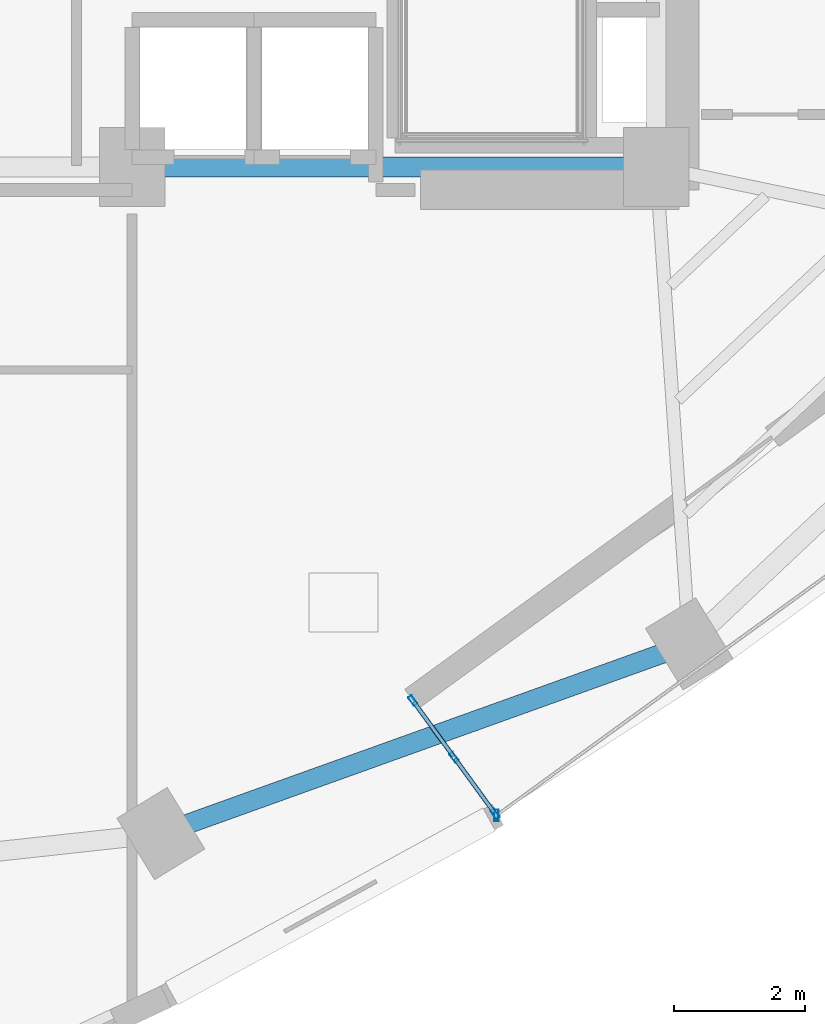
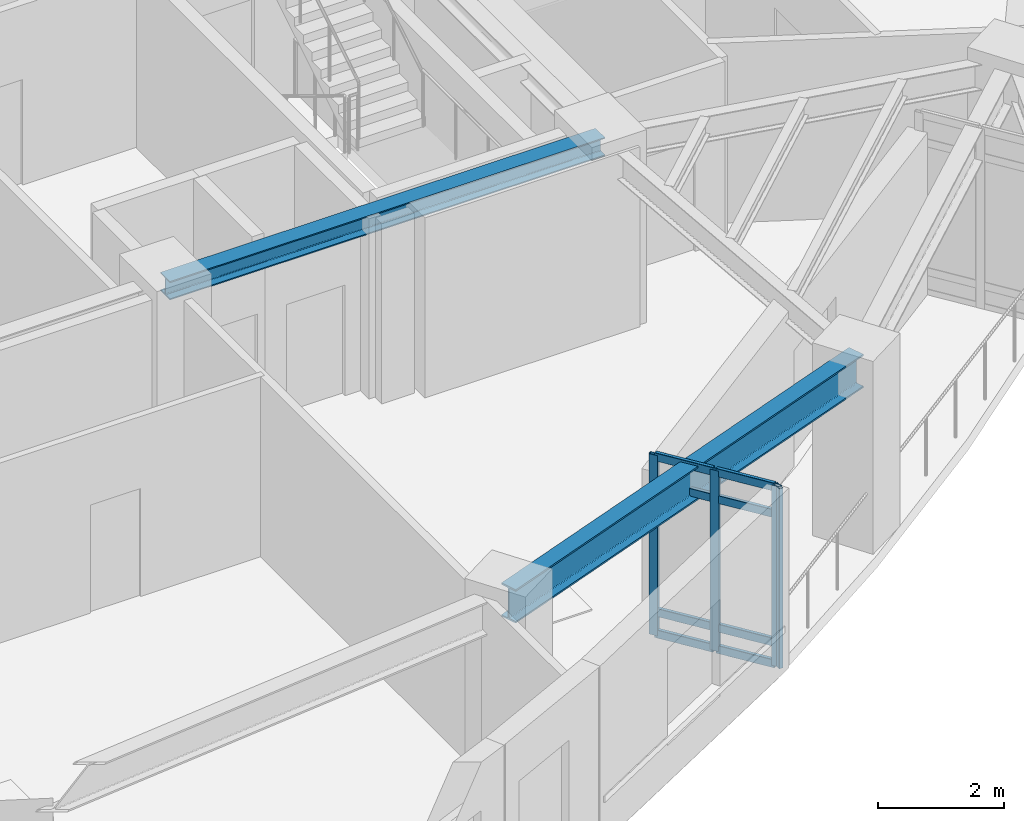
# One storey, part 2 of 11: 12 members, 2 beams, 1 element without a shape of its own.
"""IFC4 building model written with IfcOpenShell, lengths in metres."""

from ifc_helpers import new_model, si_unit, direction, frame, origin, origin_2d, place, context, subcontext, project, spatial, hollow_rectangle, i_section, extrude, material, layer, layer_set, material_profile, profile_set, type_object, element, aggregate, save


model = new_model("IFC4")

# Units and contexts
model_context = context("Model", 3, precision=1e-05, world=origin(), true_north=direction((0.0, 1.0)))
body_context = subcontext(model_context, "Body", "Model", "MODEL_VIEW")
ifc_project = project(units=[si_unit("LENGTHUNIT", "METRE"), si_unit("AREAUNIT", "SQUARE_METRE"), si_unit("VOLUMEUNIT", "CUBIC_METRE"), si_unit("PLANEANGLEUNIT", "RADIAN"), si_unit("MASSUNIT", "GRAM", prefix="KILO")], contexts=[model_context])

# Site, building, storey
site_placement = place(None, origin())
site = spatial("IfcSite", under=ifc_project, at=site_placement, CompositionType="ELEMENT")
building_placement = place(site_placement, origin())
building = spatial("IfcBuilding", under=site, at=building_placement, Name="Ndelora Gate Hotel", CompositionType="ELEMENT")
storey_placement = place(building_placement, frame((0.0, 0.0, 146.0)))
storey = spatial("IfcBuildingStorey", under=building, at=storey_placement, Name="L36", CompositionType="ELEMENT", Elevation=146.0)

# Beams
ifc_material_1 = material(Name="Steel S355", Category="steel")
ifc_material_profile_1 = material_profile(ifc_material_1, i_section(OverallWidth=0.300048828125, OverallDepth=0.360107421875, WebThickness=0.012451171875, FlangeThickness=0.0224609375, FilletRadius=0.027099609375, at=origin_2d()), Name="HEB 360")
ifc_profile_set_1 = profile_set([ifc_material_profile_1], Name="Steel S355")
beam_type_1 = type_object("IfcBeamType", Name="BM-CORE-360", PredefinedType="BEAM", material=ifc_profile_set_1)
beam_1_placement = place(storey_placement, frame((0.0, -6.60009765625, 3.320068359375), z_axis=(1.0, 0.0, 0.0), x_axis=(0.0, 1.0, 0.0)))
element("IfcBeam", 1, at=beam_1_placement, inside=storey, type_object=beam_type_1, Name="L36 Core Tie Girder CC2-CC3", PredefinedType="BEAM", context=body_context, shape_type="SweptSolid", body=[
    extrude(i_section(OverallWidth=0.300048828125, OverallDepth=0.360107421875, WebThickness=0.012451171875, FlangeThickness=0.0224609375, FilletRadius=0.027099609375, at=origin_2d()), origin(), (0.0, 0.0, 1.0), 8.0),
])
ifc_material_profile_2 = material_profile(ifc_material_1, i_section(OverallWidth=0.300048828125, OverallDepth=0.64990234375, WebThickness=0.01611328125, FlangeThickness=0.031005859375, FilletRadius=0.027099609375, at=origin_2d()), Name="HEB 650")
ifc_profile_set_2 = profile_set([ifc_material_profile_2], Name="Steel S355")
beam_type_2 = type_object("IfcBeamType", Name="BM-RING-650", PredefinedType="SPANDREL", material=ifc_profile_set_2)
beam_2_placement = place(storey_placement, frame((0.439208984375, -16.7744140625, 3.175048828125), z_axis=(0.941155870835, 0.337972819607, 0.0), x_axis=(-0.337972819607, 0.941155870835, 0.0)))
element("IfcBeam", 2, at=beam_2_placement, inside=storey, type_object=beam_type_2, Name="L36 Perimeter Spandrel Girder 6", PredefinedType="SPANDREL", context=body_context, shape_type="SweptSolid", body=[
    extrude(i_section(OverallWidth=0.300048828125, OverallDepth=0.64990234375, WebThickness=0.01611328125, FlangeThickness=0.031005859375, FilletRadius=0.027099609375, at=origin_2d()), origin(), (0.0, 0.0, 1.0), 8.5693359375),
])

# Curtain wall, members
ifc_material_2 = material(Name="Bronze Anodised Unitised Aluminium and Low-E Glass", Category="aluminium")
ifc_layer = layer(ifc_material_2, 0.199951171875)
ifc_layer_set = layer_set([ifc_layer], Name="Bronze Anodised Unitised Aluminium and Low-E Glass")
curtain_wall_type = type_object("IfcCurtainWallType", Name="CW-SYS-3", PredefinedType="NOTDEFINED", material=ifc_layer_set)
curtain_wall_placement = place(storey_placement, origin())
curtain_wall = element("IfcCurtainWall", 3, at=curtain_wall_placement, inside=storey, type_object=curtain_wall_type, Name="L36 Sky-Garden Loggia Side Curtain Wall CW3-1", PredefinedType="NOTDEFINED")
ifc_material_3 = material(Name="Bronze Anodised Aluminium 6063-T6", Category="aluminium")
ifc_material_profile_3 = material_profile(ifc_material_3, hollow_rectangle(XDim=0.06494140625, YDim=0.159912109375, WallThickness=0.00390625, InnerFilletRadius=0.00390625, OuterFilletRadius=0.008056640625, at=origin_2d()), Name="ALU 160x65x4")
ifc_profile_set_3 = profile_set([ifc_material_profile_3], Name="Bronze Anodised Aluminium 6063-T6")
member_type_1 = type_object("IfcMemberType", Name="MB-CW-MUL150", PredefinedType="MULLION", material=ifc_profile_set_3)
member_1_placement = place(storey_placement, frame((4.285400390625, -14.745361328125, -0.00390625), z_axis=(0.0, 0.0, 1.0), x_axis=(0.809017078969, 0.587785135859, 0.0)))
member_1 = element("IfcMember", 4, at=member_1_placement, type_object=member_type_1, Name="CW3 mullion 1", PredefinedType="MULLION", context=body_context, shape_type="SweptSolid", body=[
    extrude(hollow_rectangle(XDim=0.06494140625, YDim=0.159912109375, WallThickness=0.00390625, InnerFilletRadius=0.00390625, OuterFilletRadius=0.008056640625, at=origin_2d()), origin(), (0.0, 0.0, 1.0), 3.5078125),
])
member_2_placement = place(storey_placement, frame((4.912841796875, -15.60888671875, -0.00390625), z_axis=(0.0, 0.0, 1.0), x_axis=(0.809017078969, 0.587785135859, 0.0)))
member_2 = element("IfcMember", 5, at=member_2_placement, type_object=member_type_1, Name="CW3 mullion 2", PredefinedType="MULLION", context=body_context, shape_type="SweptSolid", body=[
    extrude(hollow_rectangle(XDim=0.06494140625, YDim=0.159912109375, WallThickness=0.00390625, InnerFilletRadius=0.00390625, OuterFilletRadius=0.008056640625, at=origin_2d()), origin(), (0.0, 0.0, 1.0), 3.5078125),
])
member_3_placement = place(storey_placement, frame((5.540283203125, -16.472412109375, -0.00390625), z_axis=(0.0, 0.0, 1.0), x_axis=(0.809017078969, 0.587785135859, 0.0)))
member_3 = element("IfcMember", 6, at=member_3_placement, type_object=member_type_1, Name="CW3 mullion 3", PredefinedType="MULLION", context=body_context, shape_type="SweptSolid", body=[
    extrude(hollow_rectangle(XDim=0.06494140625, YDim=0.159912109375, WallThickness=0.00390625, InnerFilletRadius=0.00390625, OuterFilletRadius=0.008056640625, at=origin_2d()), origin(), (0.0, 0.0, 1.0), 3.5078125),
])
ifc_material_profile_4 = material_profile(ifc_material_3, hollow_rectangle(XDim=0.070068359375, YDim=0.179931640625, WallThickness=0.0048828125, InnerFilletRadius=0.0048828125, OuterFilletRadius=0.010009765625, at=origin_2d()), Name="ALU 180x70x5")
ifc_profile_set_4 = profile_set([ifc_material_profile_4], Name="Bronze Anodised Aluminium 6063-T6")
member_type_2 = type_object("IfcMemberType", Name="MB-CW-MUL180", PredefinedType="MULLION", material=ifc_profile_set_4)
member_4_placement = place(storey_placement, frame((5.5595703125, -16.498779296875, 0.0), z_axis=(0.0, 0.0, 1.0), x_axis=(1.0, 0.0, 0.0)))
member_4 = element("IfcMember", 7, at=member_4_placement, type_object=member_type_2, Name="L36 Sky-Garden Loggia Corner Mullion Post 1", PredefinedType="MULLION", context=body_context, shape_type="SweptSolid", body=[
    extrude(hollow_rectangle(XDim=0.070068359375, YDim=0.179931640625, WallThickness=0.0048828125, InnerFilletRadius=0.0048828125, OuterFilletRadius=0.010009765625, at=origin_2d()), origin(), (0.0, 0.0, 1.0), 3.5),
])
ifc_material_profile_5 = material_profile(ifc_material_3, hollow_rectangle(XDim=0.06494140625, YDim=0.159912109375, WallThickness=0.00390625, InnerFilletRadius=0.00390625, OuterFilletRadius=0.008056640625, at=origin_2d()), Name="ALU 160x65x4")
ifc_profile_set_5 = profile_set([ifc_material_profile_5], Name="Bronze Anodised Aluminium 6063-T6")
member_type_3 = type_object("IfcMemberType", Name="MB-CW-TRN150", PredefinedType="USERDEFINED", material=ifc_profile_set_5)
member_5_placement = place(storey_placement, frame((4.301025390625, -14.766845703125, 0.032470703125), z_axis=(0.587957025258, -0.808892166145, 0.0), x_axis=(0.808892166145, 0.587957025258, 0.0)))
member_5 = element("IfcMember", 8, at=member_5_placement, type_object=member_type_3, Name="CW3 transom 1.1", ObjectType="TRANSOM", PredefinedType="USERDEFINED", context=body_context, shape_type="SweptSolid", body=[
    extrude(hollow_rectangle(XDim=0.06494140625, YDim=0.159912109375, WallThickness=0.00390625, InnerFilletRadius=0.00390625, OuterFilletRadius=0.008056640625, at=origin_2d()), origin(), (0.0, 0.0, 1.0), 1.014404296875),
])
member_6_placement = place(storey_placement, frame((4.301025390625, -14.766845703125, 0.449951171875), z_axis=(0.587957025258, -0.808892166145, 0.0), x_axis=(0.808892166145, 0.587957025258, 0.0)))
member_6 = element("IfcMember", 9, at=member_6_placement, type_object=member_type_3, Name="CW3 transom 1.2", ObjectType="TRANSOM", PredefinedType="USERDEFINED", context=body_context, shape_type="SweptSolid", body=[
    extrude(hollow_rectangle(XDim=0.06494140625, YDim=0.159912109375, WallThickness=0.00390625, InnerFilletRadius=0.00390625, OuterFilletRadius=0.008056640625, at=origin_2d()), origin(), (0.0, 0.0, 1.0), 1.014404296875),
])
member_7_placement = place(storey_placement, frame((4.301025390625, -14.766845703125, 2.949951171875), z_axis=(0.587957025258, -0.808892166145, 0.0), x_axis=(0.808892166145, 0.587957025258, 0.0)))
member_7 = element("IfcMember", 10, at=member_7_placement, type_object=member_type_3, Name="CW3 transom 1.3", ObjectType="TRANSOM", PredefinedType="USERDEFINED", context=body_context, shape_type="SweptSolid", body=[
    extrude(hollow_rectangle(XDim=0.06494140625, YDim=0.159912109375, WallThickness=0.00390625, InnerFilletRadius=0.00390625, OuterFilletRadius=0.008056640625, at=origin_2d()), origin(), (0.0, 0.0, 1.0), 1.014404296875),
])
member_8_placement = place(storey_placement, frame((4.301025390625, -14.766845703125, 3.467529296875), z_axis=(0.587957025258, -0.808892166145, 0.0), x_axis=(0.808892166145, 0.587957025258, 0.0)))
member_8 = element("IfcMember", 11, at=member_8_placement, type_object=member_type_3, Name="CW3 transom 1.4", ObjectType="TRANSOM", PredefinedType="USERDEFINED", context=body_context, shape_type="SweptSolid", body=[
    extrude(hollow_rectangle(XDim=0.06494140625, YDim=0.159912109375, WallThickness=0.00390625, InnerFilletRadius=0.00390625, OuterFilletRadius=0.008056640625, at=origin_2d()), origin(), (0.0, 0.0, 1.0), 1.014404296875),
])
member_9_placement = place(storey_placement, frame((4.928466796875, -15.63037109375, 0.032470703125), z_axis=(0.587842580444, -0.808975339931, 0.0), x_axis=(0.808975339931, 0.587842580444, 0.0)))
member_9 = element("IfcMember", 12, at=member_9_placement, type_object=member_type_3, Name="CW3 transom 2.1", ObjectType="TRANSOM", PredefinedType="USERDEFINED", context=body_context, shape_type="SweptSolid", body=[
    extrude(hollow_rectangle(XDim=0.06494140625, YDim=0.159912109375, WallThickness=0.00390625, InnerFilletRadius=0.00390625, OuterFilletRadius=0.008056640625, at=origin_2d()), origin(), (0.0, 0.0, 1.0), 1.0146484375),
])
member_10_placement = place(storey_placement, frame((4.928466796875, -15.63037109375, 0.449951171875), z_axis=(0.587842580444, -0.808975339931, 0.0), x_axis=(0.808975339931, 0.587842580444, 0.0)))
member_10 = element("IfcMember", 13, at=member_10_placement, type_object=member_type_3, Name="CW3 transom 2.2", ObjectType="TRANSOM", PredefinedType="USERDEFINED", context=body_context, shape_type="SweptSolid", body=[
    extrude(hollow_rectangle(XDim=0.06494140625, YDim=0.159912109375, WallThickness=0.00390625, InnerFilletRadius=0.00390625, OuterFilletRadius=0.008056640625, at=origin_2d()), origin(), (0.0, 0.0, 1.0), 1.0146484375),
])
member_11_placement = place(storey_placement, frame((4.928466796875, -15.63037109375, 2.949951171875), z_axis=(0.587842580444, -0.808975339931, 0.0), x_axis=(0.808975339931, 0.587842580444, 0.0)))
member_11 = element("IfcMember", 14, at=member_11_placement, type_object=member_type_3, Name="CW3 transom 2.3", ObjectType="TRANSOM", PredefinedType="USERDEFINED", context=body_context, shape_type="SweptSolid", body=[
    extrude(hollow_rectangle(XDim=0.06494140625, YDim=0.159912109375, WallThickness=0.00390625, InnerFilletRadius=0.00390625, OuterFilletRadius=0.008056640625, at=origin_2d()), origin(), (0.0, 0.0, 1.0), 1.0146484375),
])
member_12_placement = place(storey_placement, frame((4.928466796875, -15.63037109375, 3.467529296875), z_axis=(0.587842580444, -0.808975339931, 0.0), x_axis=(0.808975339931, 0.587842580444, 0.0)))
member_12 = element("IfcMember", 15, at=member_12_placement, type_object=member_type_3, Name="CW3 transom 2.4", ObjectType="TRANSOM", PredefinedType="USERDEFINED", context=body_context, shape_type="SweptSolid", body=[
    extrude(hollow_rectangle(XDim=0.06494140625, YDim=0.159912109375, WallThickness=0.00390625, InnerFilletRadius=0.00390625, OuterFilletRadius=0.008056640625, at=origin_2d()), origin(), (0.0, 0.0, 1.0), 1.0146484375),
])
aggregate(curtain_wall, [member_1, member_2, member_3, member_5, member_6, member_7, member_8, member_9, member_10, member_11, member_12, member_4])

save(model, "model.ifc")
